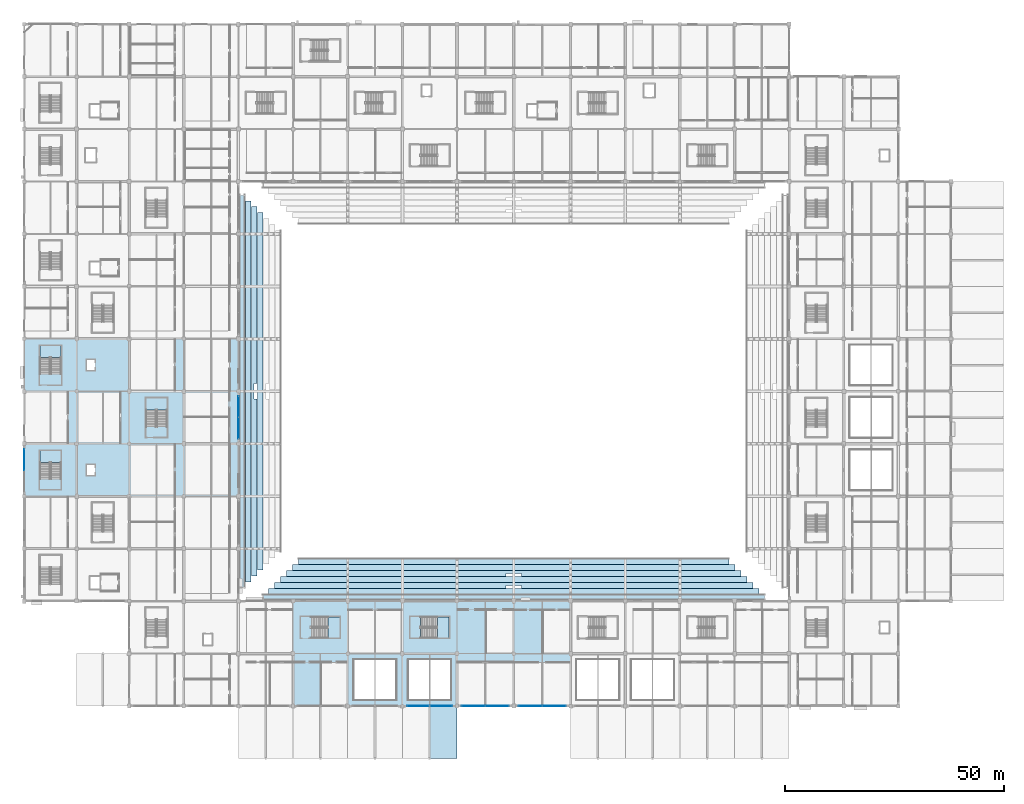
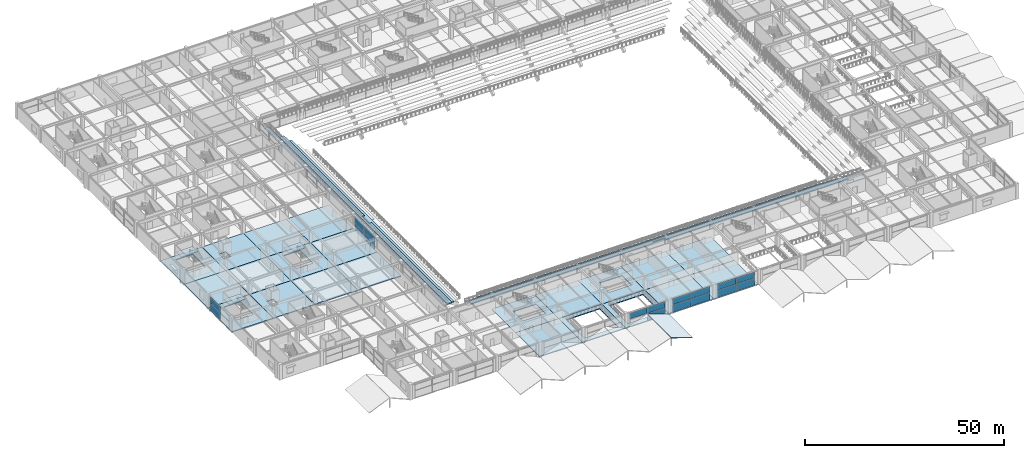
# One storey, part 66 of 134: 39 slabs, 17 plates, 10 elements without a shape of their own.
"""IFC4 building model written with IfcOpenShell, lengths in metres."""

import ifcopenshell
import ifcopenshell.guid

model = None  # the IFC model being written
_history = None  # IfcOwnerHistory: only IFC2X3 demands one
_inside = {}  # id of a spatial element -> (the spatial element, [elements in it])
_under = {}  # id of a project, library or spatial element -> (it, [spatial elements below it])
_declared = {}  # id of a project -> (the project, [libraries it declares])
_typed = {}  # id of a type object -> (the type object, [elements of that type])
_made_of = {}  # id of a material, layer set ... -> (it, [elements and type objects made of it])


def new_model(schema):
    """Start an empty IFC model of exactly this schema.

    Asked for "IFC4X3", IfcOpenShell would pick the latest addendum, in which some entities
    have other attributes; the version numbers below select the first issue.
    IFC2X3 requires an IfcOwnerHistory on every rooted entity: one is made here for all.
    """
    global model, _history
    if schema == "IFC4X3":
        model = ifcopenshell.file(schema_version=(4, 3, 0, 0))
    else:
        model = ifcopenshell.file(schema=schema)
    _inside.clear()
    _under.clear()
    _declared.clear()
    _typed.clear()
    _made_of.clear()
    _history = None
    if model.schema == "IFC2X3":
        org = make("IfcOrganization", Name="unknown")
        user = make(
            "IfcPersonAndOrganization",
            ThePerson=make("IfcPerson", FamilyName="unknown"),
            TheOrganization=org,
        )
        app = make(
            "IfcApplication",
            ApplicationDeveloper=org,
            Version="unknown",
            ApplicationFullName="unknown",
            ApplicationIdentifier="unknown",
        )
        _history = make(
            "IfcOwnerHistory",
            OwningUser=user,
            OwningApplication=app,
            ChangeAction="ADDED",
            CreationDate=0,
        )
    return model


def make(cls, **values):
    """One entity of the class cls with the attributes given. An attribute that is None is left unset."""
    return model.create_entity(
        cls, **{name: value for name, value in values.items() if value is not None}
    )


def rooted(cls, **values):
    """An entity with a GlobalId (a new one), such as an element, a storey or a relation."""
    return make(cls, GlobalId=ifcopenshell.guid.new(), OwnerHistory=_history, **values)


def si_unit(unit_type, name, prefix=None):
    """IfcSIUnit, for example si_unit("LENGTHUNIT", "METRE", prefix="MILLI")."""
    return make("IfcSIUnit", UnitType=unit_type, Prefix=prefix, Name=name)


def assignment(units):
    """IfcUnitAssignment: the units of a project."""
    return None if units is None else make("IfcUnitAssignment", Units=units)


def point(xyz):
    """IfcCartesianPoint."""
    return None if xyz is None else make("IfcCartesianPoint", Coordinates=xyz)


def direction(xyz):
    """IfcDirection."""
    return None if xyz is None else make("IfcDirection", DirectionRatios=xyz)


def frame(location, z_axis=None, x_axis=None):
    """IfcAxis2Placement3D, a coordinate frame: its origin and axes. An axis left out is left unset."""
    return make(
        "IfcAxis2Placement3D",
        Location=point(location),
        Axis=direction(z_axis),
        RefDirection=direction(x_axis),
    )


def frame_2d(location, x_axis=None):
    """IfcAxis2Placement2D, a coordinate frame in the plane: its origin and x axis."""
    return make(
        "IfcAxis2Placement2D", Location=point(location), RefDirection=direction(x_axis)
    )


def origin():
    """The frame at (0, 0, 0) with its axes left unset."""
    return frame((0.0, 0.0, 0.0))


def origin_2d():
    """The frame at (0, 0) in the plane with its x axis left unset."""
    return frame_2d((0.0, 0.0))


def place(relative_to, where):
    """IfcLocalPlacement: puts the frame where relative to a parent placement (None: the world)."""
    return make(
        "IfcLocalPlacement", PlacementRelTo=relative_to, RelativePlacement=where
    )


def context(
    kind, dimensions, precision=None, world=None, true_north=None, identifier=None
):
    """IfcGeometricRepresentationContext, for example the 3D "Model" context."""
    return make(
        "IfcGeometricRepresentationContext",
        ContextIdentifier=identifier,
        ContextType=kind,
        CoordinateSpaceDimension=dimensions,
        Precision=precision,
        WorldCoordinateSystem=world,
        TrueNorth=true_north,
    )


def subcontext(parent, identifier, kind, view, scale=None):
    """IfcGeometricRepresentationSubContext, for example "Body" below "Model"."""
    return make(
        "IfcGeometricRepresentationSubContext",
        ContextIdentifier=identifier,
        ContextType=kind,
        ParentContext=parent,
        TargetScale=scale,
        TargetView=view,
    )


def project(units=None, contexts=None):
    """IfcProject with its units and contexts."""
    return rooted(
        "IfcProject",
        Name="project",
        RepresentationContexts=contexts,
        UnitsInContext=assignment(units),
    )


def spatial(cls, under=None, at=None, **own):
    """A site, building, storey or space (cls), placed at a placement, below another one or the project."""
    s = rooted(cls, ObjectPlacement=at, **own)
    if under is not None:
        _under.setdefault(under.id(), (under, []))[1].append(s)
    return s


def polyline(points):
    """IfcPolyline through the points."""
    return make("IfcPolyline", Points=[point(p) for p in points])


def profile(cls, at=None, kind="AREA", **sizes):
    """A parametric profile (cls). Its sizes go by their IFC names, for example OverallWidth=200.0."""
    return make(cls, ProfileType=kind, Position=at, **sizes)


def rectangle(**sizes):
    """IfcRectangleProfileDef."""
    return profile("IfcRectangleProfileDef", **sizes)


def outline(outer, holes=None, kind="AREA"):
    """IfcArbitraryClosedProfileDef: a profile drawn as a closed curve; with holes, ...WithVoids."""
    if holes is None:
        return make("IfcArbitraryClosedProfileDef", ProfileType=kind, OuterCurve=outer)
    return make(
        "IfcArbitraryProfileDefWithVoids",
        ProfileType=kind,
        OuterCurve=outer,
        InnerCurves=holes,
    )


def extrude(swept, where, along, depth):
    """IfcExtrudedAreaSolid: the profile swept, set in the frame where, extruded along a direction by depth."""
    return make(
        "IfcExtrudedAreaSolid",
        SweptArea=swept,
        Position=where,
        ExtrudedDirection=direction(along),
        Depth=depth,
    )


def shape(context_of_items, identifier, shape_type, items):
    """IfcShapeRepresentation: the items that make up one representation, for example the "Body"."""
    return make(
        "IfcShapeRepresentation",
        ContextOfItems=context_of_items,
        RepresentationIdentifier=identifier,
        RepresentationType=shape_type,
        Items=items,
    )


def material(Name=None, Category=None):
    """IfcMaterial."""
    return make("IfcMaterial", Name=Name, Category=Category)


def layer(
    of_material, thickness, ventilated=None, Name=None, Category=None, Priority=None
):
    """IfcMaterialLayer: one layer of a wall or slab, of a material (None: an air gap)."""
    return make(
        "IfcMaterialLayer",
        Material=of_material,
        LayerThickness=thickness,
        IsVentilated=ventilated,
        Name=Name,
        Category=Category,
        Priority=Priority,
    )


def layer_set(layers, Name=None):
    """IfcMaterialLayerSet."""
    return make("IfcMaterialLayerSet", MaterialLayers=layers, LayerSetName=Name)


def made_of(thing, what):
    """Note that an element or type object is made of a material, layer set ...; save() writes the relation."""
    if what is not None:
        _made_of.setdefault(what.id(), (what, []))[1].append(thing)
    return thing


def type_object(cls, material=None, **own):
    """A type object (cls), such as IfcWallType, which elements share."""
    return made_of(rooted(cls, **own), material)


def element(
    cls,
    number,
    at=None,
    inside=None,
    cuts=None,
    type_object=None,
    material=None,
    context=None,
    identifier="Body",
    shape_type=None,
    held_by="IfcProductDefinitionShape",
    body=None,
    shapes=None,
    **own,
):
    """One element of the class cls, such as IfcWall. Its Tag is "e" and its number.

    at: its placement. inside: the storey or other place that contains it. cuts: it is an
    opening in that element (IfcRelVoidsElement). A single representation is given by context,
    identifier, shape_type and body (its items); several are given by shapes. held_by: the class
    of the entity that holds the representations. save() writes the other relations.
    """
    e = rooted(cls, Tag="e%d" % number, ObjectPlacement=at, **own)
    if body is not None:
        shapes = [shape(context, identifier, shape_type, body)]
    if shapes is not None:
        e.Representation = make(held_by, Representations=shapes)
    if inside is not None:
        _inside.setdefault(inside.id(), (inside, []))[1].append(e)
    if cuts is not None:
        rooted(
            "IfcRelVoidsElement", RelatingBuildingElement=cuts, RelatedOpeningElement=e
        )
    if type_object is not None:
        _typed.setdefault(type_object.id(), (type_object, []))[1].append(e)
    return made_of(e, material)


def aggregate(whole, parts):
    """IfcRelAggregates: a whole, such as a stair, and the parts it consists of."""
    return rooted("IfcRelAggregates", RelatingObject=whole, RelatedObjects=parts)


def save(model, path):
    """Write the relations noted so far, then the file.

    IfcRelAggregates (storeys below a building ...), IfcRelContainedInSpatialStructure (elements
    in a storey), IfcRelDefinesByType, IfcRelAssociatesMaterial and IfcRelDeclares: one each for
    every whole, place, type object, material and project.
    """
    for whole, parts in _under.values():
        aggregate(whole, parts)
    for where, things in _inside.values():
        rooted(
            "IfcRelContainedInSpatialStructure",
            RelatedElements=things,
            RelatingStructure=where,
        )
    for kind, things in _typed.values():
        rooted("IfcRelDefinesByType", RelatedObjects=things, RelatingType=kind)
    for what, things in _made_of.values():
        rooted("IfcRelAssociatesMaterial", RelatedObjects=things, RelatingMaterial=what)
    for by, libraries in _declared.values():
        rooted("IfcRelDeclares", RelatingContext=by, RelatedDefinitions=libraries)
    model.write(path)


model = new_model("IFC4")

# Units and contexts
model_context = context("Model", 3, precision=1e-05, world=origin(), true_north=direction((0.0, 1.0)))
body_context = subcontext(model_context, "Body", "Model", "MODEL_VIEW")
ifc_project = project(units=[si_unit("LENGTHUNIT", "METRE"), si_unit("AREAUNIT", "SQUARE_METRE"), si_unit("VOLUMEUNIT", "CUBIC_METRE"), si_unit("PLANEANGLEUNIT", "RADIAN"), si_unit("MASSUNIT", "GRAM", prefix="KILO")], contexts=[model_context])

# Site, building, storey
site_placement = place(None, origin())
site = spatial("IfcSite", under=ifc_project, at=site_placement, CompositionType="ELEMENT")
building_placement = place(site_placement, origin())
building = spatial("IfcBuilding", under=site, at=building_placement, Name="Kazenohara Klinker Stadium", CompositionType="ELEMENT")
storey_placement = place(building_placement, frame((0.0, 0.0, 5.39990234375)))
storey = spatial("IfcBuildingStorey", under=building, at=storey_placement, Name="L01", CompositionType="ELEMENT", Elevation=5.39990234375)

# Curtain wall, plates
ifc_material_1 = material(Name="Anodised aluminium and triple glazing", Category="aluminium")
ifc_layer_1 = layer(ifc_material_1, 0.169921875)
ifc_layer_set_1 = layer_set([ifc_layer_1], Name="Anodised aluminium and triple glazing")
curtain_wall_type_1 = type_object("IfcCurtainWallType", Name="CW-SYS-04", PredefinedType="USERDEFINED", material=ifc_layer_set_1)
curtain_wall_1_placement = place(storey_placement, origin())
curtain_wall_1 = element("IfcCurtainWall", 1, at=curtain_wall_1_placement, inside=storey, type_object=curtain_wall_type_1, Name="Unitised facade curtain wall CW04 L01 X7-1", ObjectType="UNITISED CURTAIN WALL", PredefinedType="USERDEFINED")
ifc_material_2 = material(Name="Low-e laminated triple glazing", Category="glass")
ifc_layer_2 = layer(ifc_material_2, 0.035888671875)
ifc_layer_set_2 = layer_set([ifc_layer_2], Name="Low-e laminated triple glazing")
plate_type_1 = type_object("IfcPlateType", Name="CW-PNL-36", PredefinedType="CURTAIN_PANEL", material=ifc_layer_set_2)
plate_1_placement = place(storey_placement, frame((90.168212890625, 12.0, 2.315185546875), z_axis=(0.0, 0.0, 1.0), x_axis=(1.0, 0.0, 0.0)))
plate_1 = element("IfcPlate", 2, at=plate_1_placement, type_object=plate_type_1, Name="CW04 panel 1.2", PredefinedType="CURTAIN_PANEL", context=body_context, shape_type="SweptSolid", body=[
    extrude(rectangle(XDim=5.098388671875, YDim=0.035888671875, at=origin_2d()), origin(), (0.0, 0.0, 1.0), 1.77001953125),
])
plate_2_placement = place(storey_placement, frame((95.331787109375, 12.0, 0.065185546875), z_axis=(0.0, 0.0, 1.0), x_axis=(1.0, 0.0, 0.0)))
plate_2 = element("IfcPlate", 3, at=plate_2_placement, type_object=plate_type_1, Name="CW04 panel 2.1", PredefinedType="CURTAIN_PANEL", context=body_context, shape_type="SweptSolid", body=[
    extrude(rectangle(XDim=5.098388671875, YDim=0.035888671875, at=origin_2d()), origin(), (0.0, 0.0, 1.0), 2.18505859375),
])
plate_3_placement = place(storey_placement, frame((95.331787109375, 12.0, 2.315185546875), z_axis=(0.0, 0.0, 1.0), x_axis=(1.0, 0.0, 0.0)))
plate_3 = element("IfcPlate", 4, at=plate_3_placement, type_object=plate_type_1, Name="CW04 panel 2.2", PredefinedType="CURTAIN_PANEL", context=body_context, shape_type="SweptSolid", body=[
    extrude(rectangle(XDim=5.098388671875, YDim=0.035888671875, at=origin_2d()), origin(), (0.0, 0.0, 1.0), 1.77001953125),
])
aggregate(curtain_wall_1, [plate_1, plate_2, plate_3])

ifc_layer_3 = layer(ifc_material_1, 0.159912109375)
ifc_layer_set_3 = layer_set([ifc_layer_3], Name="Anodised aluminium and triple glazing")
curtain_wall_type_2 = type_object("IfcCurtainWallType", Name="CW-SYS-01", PredefinedType="USERDEFINED", material=ifc_layer_set_3)
curtain_wall_2_placement = place(storey_placement, origin())
curtain_wall_2 = element("IfcCurtainWall", 5, at=curtain_wall_2_placement, inside=storey, type_object=curtain_wall_type_2, Name="Unitised facade curtain wall CW01 L01 X8-1", ObjectType="UNITISED CURTAIN WALL", PredefinedType="USERDEFINED")
plate_4_placement = place(storey_placement, frame((102.78076171875, 12.0, 0.065185546875), z_axis=(0.0, 0.0, 1.0), x_axis=(1.0, 0.0, 0.0)))
plate_4 = element("IfcPlate", 6, at=plate_4_placement, type_object=plate_type_1, Name="CW01 panel 1.1", PredefinedType="CURTAIN_PANEL", context=body_context, shape_type="SweptSolid", body=[
    extrude(rectangle(XDim=5.323486328125, YDim=0.035888671875, at=origin_2d()), origin(), (0.0, 0.0, 1.0), 2.21240234375),
])
plate_5_placement = place(storey_placement, frame((102.78076171875, 12.0, 2.342529296875), z_axis=(0.0, 0.0, 1.0), x_axis=(1.0, 0.0, 0.0)))
plate_5 = element("IfcPlate", 7, at=plate_5_placement, type_object=plate_type_1, Name="CW01 panel 1.2", PredefinedType="CURTAIN_PANEL", context=body_context, shape_type="SweptSolid", body=[
    extrude(rectangle(XDim=5.323486328125, YDim=0.035888671875, at=origin_2d()), origin(), (0.0, 0.0, 1.0), 1.79248046875),
])
plate_6_placement = place(storey_placement, frame((108.169189453125, 12.0, 0.065185546875), z_axis=(0.0, 0.0, 1.0), x_axis=(1.0, 0.0, 0.0)))
plate_6 = element("IfcPlate", 8, at=plate_6_placement, type_object=plate_type_1, Name="CW01 panel 2.1", PredefinedType="CURTAIN_PANEL", context=body_context, shape_type="SweptSolid", body=[
    extrude(rectangle(XDim=5.323486328125, YDim=0.035888671875, at=origin_2d()), origin(), (0.0, 0.0, 1.0), 2.21240234375),
])
plate_7_placement = place(storey_placement, frame((108.169189453125, 12.0, 2.342529296875), z_axis=(0.0, 0.0, 1.0), x_axis=(1.0, 0.0, 0.0)))
plate_7 = element("IfcPlate", 9, at=plate_7_placement, type_object=plate_type_1, Name="CW01 panel 2.2", PredefinedType="CURTAIN_PANEL", context=body_context, shape_type="SweptSolid", body=[
    extrude(rectangle(XDim=5.323486328125, YDim=0.035888671875, at=origin_2d()), origin(), (0.0, 0.0, 1.0), 1.79248046875),
])
aggregate(curtain_wall_2, [plate_4, plate_5, plate_6, plate_7])

ifc_layer_4 = layer(ifc_material_1, 0.199951171875)
ifc_layer_set_4 = layer_set([ifc_layer_4], Name="Anodised aluminium and triple glazing")
curtain_wall_type_3 = type_object("IfcCurtainWallType", Name="CW-SYS-03", PredefinedType="USERDEFINED", material=ifc_layer_set_4)
curtain_wall_3_placement = place(storey_placement, origin())
curtain_wall_3 = element("IfcCurtainWall", 10, at=curtain_wall_3_placement, inside=storey, type_object=curtain_wall_type_3, Name="Unitised facade curtain wall CW03 L01 X9-1", ObjectType="UNITISED CURTAIN WALL", PredefinedType="USERDEFINED")
plate_8_placement = place(storey_placement, frame((115.830810546875, 12.0, 0.065185546875), z_axis=(0.0, 0.0, 1.0), x_axis=(1.0, 0.0, 0.0)))
plate_8 = element("IfcPlate", 11, at=plate_8_placement, type_object=plate_type_1, Name="CW03 panel 1.1", PredefinedType="CURTAIN_PANEL", context=body_context, shape_type="SweptSolid", body=[
    extrude(rectangle(XDim=5.323486328125, YDim=0.035888671875, at=origin_2d()), origin(), (0.0, 0.0, 1.0), 2.18505859375),
])
plate_9_placement = place(storey_placement, frame((115.830810546875, 12.0, 2.315185546875), z_axis=(0.0, 0.0, 1.0), x_axis=(1.0, 0.0, 0.0)))
plate_9 = element("IfcPlate", 12, at=plate_9_placement, type_object=plate_type_1, Name="CW03 panel 1.2", PredefinedType="CURTAIN_PANEL", context=body_context, shape_type="SweptSolid", body=[
    extrude(rectangle(XDim=5.323486328125, YDim=0.035888671875, at=origin_2d()), origin(), (0.0, 0.0, 1.0), 1.77001953125),
])
plate_10_placement = place(storey_placement, frame((121.21923828125, 12.0, 0.065185546875), z_axis=(0.0, 0.0, 1.0), x_axis=(1.0, 0.0, 0.0)))
plate_10 = element("IfcPlate", 13, at=plate_10_placement, type_object=plate_type_1, Name="CW03 panel 2.1", PredefinedType="CURTAIN_PANEL", context=body_context, shape_type="SweptSolid", body=[
    extrude(rectangle(XDim=5.323486328125, YDim=0.035888671875, at=origin_2d()), origin(), (0.0, 0.0, 1.0), 2.18505859375),
])
plate_11_placement = place(storey_placement, frame((121.21923828125, 12.0, 2.315185546875), z_axis=(0.0, 0.0, 1.0), x_axis=(1.0, 0.0, 0.0)))
plate_11 = element("IfcPlate", 14, at=plate_11_placement, type_object=plate_type_1, Name="CW03 panel 2.2", PredefinedType="CURTAIN_PANEL", context=body_context, shape_type="SweptSolid", body=[
    extrude(rectangle(XDim=5.323486328125, YDim=0.035888671875, at=origin_2d()), origin(), (0.0, 0.0, 1.0), 1.77001953125),
])
aggregate(curtain_wall_3, [plate_8, plate_9, plate_10, plate_11])

ifc_layer_5 = layer(ifc_material_1, 0.179931640625)
ifc_layer_set_5 = layer_set([ifc_layer_5], Name="Anodised aluminium and triple glazing")
curtain_wall_type_4 = type_object("IfcCurtainWallType", Name="CW-SYS-02", PredefinedType="USERDEFINED", material=ifc_layer_set_5)
curtain_wall_4_placement = place(storey_placement, origin())
curtain_wall_4 = element("IfcCurtainWall", 15, at=curtain_wall_4_placement, inside=storey, type_object=curtain_wall_type_4, Name="Unitised facade curtain wall CW02 L01 Y0-5", ObjectType="UNITISED CURTAIN WALL", PredefinedType="USERDEFINED")
ifc_layer_6 = layer(ifc_material_2, 0.0439453125)
ifc_layer_set_6 = layer_set([ifc_layer_6], Name="Low-e laminated triple glazing")
plate_type_2 = type_object("IfcPlateType", Name="CW-PNL-44", PredefinedType="CURTAIN_PANEL", material=ifc_layer_set_6)
plate_12_placement = place(storey_placement, frame((0.0, 68.379150390625, 0.0751953125), z_axis=(0.0, 0.0, 1.0), x_axis=(0.0, 1.0, 0.0)))
plate_12 = element("IfcPlate", 16, at=plate_12_placement, type_object=plate_type_2, Name="CW02 panel 2.1", PredefinedType="CURTAIN_PANEL", context=body_context, shape_type="SweptSolid", body=[
    extrude(rectangle(XDim=4.783447265625, YDim=0.0439453125, at=origin_2d()), origin(), (0.0, 0.0, 1.0), 2.197509765625),
])
plate_13_placement = place(storey_placement, frame((0.0, 68.379150390625, 2.34765625), z_axis=(0.0, 0.0, 1.0), x_axis=(0.0, 1.0, 0.0)))
plate_13 = element("IfcPlate", 17, at=plate_13_placement, type_object=plate_type_2, Name="CW02 panel 2.2", PredefinedType="CURTAIN_PANEL", context=body_context, shape_type="SweptSolid", body=[
    extrude(rectangle(XDim=4.783447265625, YDim=0.0439453125, at=origin_2d()), origin(), (0.0, 0.0, 1.0), 1.777587890625),
])
aggregate(curtain_wall_4, [plate_12, plate_13])

ifc_layer_7 = layer(ifc_material_1, 0.18994140625)
ifc_layer_set_7 = layer_set([ifc_layer_7], Name="Anodised aluminium and triple glazing")
curtain_wall_type_5 = type_object("IfcCurtainWallType", Name="CW-SYS-05", PredefinedType="USERDEFINED", material=ifc_layer_set_7)
curtain_wall_5_placement = place(storey_placement, origin())
curtain_wall_5 = element("IfcCurtainWall", 18, at=curtain_wall_5_placement, inside=storey, type_object=curtain_wall_type_5, Name="Unitised facade curtain wall CW05 L01 Y4-6", ObjectType="UNITISED CURTAIN WALL", PredefinedType="USERDEFINED")
plate_14_placement = place(storey_placement, frame((49.0, 75.583251953125, 0.0751953125), z_axis=(0.0, 0.0, 1.0), x_axis=(0.0, 1.0, 0.0)))
plate_14 = element("IfcPlate", 19, at=plate_14_placement, type_object=plate_type_2, Name="CW05 panel 1.1", PredefinedType="CURTAIN_PANEL", context=body_context, shape_type="SweptSolid", body=[
    extrude(rectangle(XDim=4.80859375, YDim=0.0439453125, at=origin_2d()), origin(), (0.0, 0.0, 1.0), 2.169921875),
])
plate_15_placement = place(storey_placement, frame((49.0, 75.583251953125, 2.320068359375), z_axis=(0.0, 0.0, 1.0), x_axis=(0.0, 1.0, 0.0)))
plate_15 = element("IfcPlate", 20, at=plate_15_placement, type_object=plate_type_2, Name="CW05 panel 1.2", PredefinedType="CURTAIN_PANEL", context=body_context, shape_type="SweptSolid", body=[
    extrude(rectangle(XDim=4.80859375, YDim=0.0439453125, at=origin_2d()), origin(), (0.0, 0.0, 1.0), 1.7548828125),
])
plate_16_placement = place(storey_placement, frame((49.0, 80.466796875, 0.0751953125), z_axis=(0.0, 0.0, 1.0), x_axis=(0.0, 1.0, 0.0)))
plate_16 = element("IfcPlate", 21, at=plate_16_placement, type_object=plate_type_2, Name="CW05 panel 2.1", PredefinedType="CURTAIN_PANEL", context=body_context, shape_type="SweptSolid", body=[
    extrude(rectangle(XDim=4.80859375, YDim=0.0439453125, at=origin_2d()), origin(), (0.0, 0.0, 1.0), 2.169921875),
])
plate_17_placement = place(storey_placement, frame((49.0, 80.466796875, 2.320068359375), z_axis=(0.0, 0.0, 1.0), x_axis=(0.0, 1.0, 0.0)))
plate_17 = element("IfcPlate", 22, at=plate_17_placement, type_object=plate_type_2, Name="CW05 panel 2.2", PredefinedType="CURTAIN_PANEL", context=body_context, shape_type="SweptSolid", body=[
    extrude(rectangle(XDim=4.80859375, YDim=0.0439453125, at=origin_2d()), origin(), (0.0, 0.0, 1.0), 1.7548828125),
])
aggregate(curtain_wall_5, [plate_14, plate_15, plate_16, plate_17])

# Slabs
ifc_material_3 = material(Name="Concrete C40/50", Category="concrete")
ifc_layer_8 = layer(ifc_material_3, 0.260009765625)
ifc_layer_set_8 = layer_set([ifc_layer_8], Name="Concrete C40/50")
slab_type_1 = type_object("IfcSlabType", Name="SLB-FLR-260", PredefinedType="FLOOR", material=ifc_layer_set_8)
slab_1_placement = place(storey_placement, frame((0.0, 0.0, -0.260009765625)))
element("IfcSlab", 23, at=slab_1_placement, inside=storey, type_object=slab_type_1, Name="Floor slab FS02 L01 1/F", PredefinedType="FLOOR", context=body_context, shape_type="SweptSolid", body=[
    extrude(outline(polyline([(0.0, 60.0), (12.0, 60.0), (12.0, 72.0), (0.0, 72.0), (0.0, 60.0)]), holes=[polyline([(8.409912109375, 63.929931640625), (8.409912109375, 70.4599609375), (3.590087890625, 70.4599609375), (3.590087890625, 63.929931640625), (8.409912109375, 63.929931640625)])]), origin(), (0.0, 0.0, 1.0), 0.260009765625),
])
slab_2_placement = place(storey_placement, frame((0.0, 0.0, -0.260009765625)))
element("IfcSlab", 24, at=slab_2_placement, inside=storey, type_object=slab_type_1, Name="Floor slab FS02 L01 1/G", PredefinedType="FLOOR", context=body_context, shape_type="SweptSolid", body=[
    extrude(outline(polyline([(0.0, 72.0), (12.0, 72.0), (12.0, 84.0), (0.0, 84.0), (0.0, 72.0)])), origin(), (0.0, 0.0, 1.0), 0.260009765625),
])
slab_3_placement = place(storey_placement, frame((0.0, 0.0, -0.260009765625)))
element("IfcSlab", 25, at=slab_3_placement, inside=storey, type_object=slab_type_1, Name="Floor slab FS02 L01 1/H", PredefinedType="FLOOR", context=body_context, shape_type="SweptSolid", body=[
    extrude(outline(polyline([(0.0, 84.0), (12.0, 84.0), (12.0, 96.0), (0.0, 96.0), (0.0, 84.0)]), holes=[polyline([(8.429931640625, 87.949951171875), (8.429931640625, 94.4599609375), (3.570068359375, 94.4599609375), (3.570068359375, 87.949951171875), (8.429931640625, 87.949951171875)])]), origin(), (0.0, 0.0, 1.0), 0.260009765625),
])
slab_4_placement = place(storey_placement, frame((0.0, 0.0, -0.260009765625)))
element("IfcSlab", 26, at=slab_4_placement, inside=storey, type_object=slab_type_1, Name="Floor slab FS02 L01 2/F", PredefinedType="FLOOR", context=body_context, shape_type="SweptSolid", body=[
    extrude(outline(polyline([(12.0, 60.0), (24.0, 60.0), (24.0, 72.0), (12.0, 72.0), (12.0, 60.0)]), holes=[polyline([(14.25, 64.800048828125), (16.14990234375, 64.800048828125), (16.14990234375, 67.199951171875), (14.25, 67.199951171875), (14.25, 64.800048828125)])]), origin(), (0.0, 0.0, 1.0), 0.260009765625),
])
slab_5_placement = place(storey_placement, frame((0.0, 0.0, -0.260009765625)))
element("IfcSlab", 27, at=slab_5_placement, inside=storey, type_object=slab_type_1, Name="Floor slab FS02 L01 2/G", PredefinedType="FLOOR", context=body_context, shape_type="SweptSolid", body=[
    extrude(outline(polyline([(12.0, 72.0), (24.0, 72.0), (24.0, 84.0), (12.0, 84.0), (12.0, 72.0)])), origin(), (0.0, 0.0, 1.0), 0.260009765625),
])
slab_6_placement = place(storey_placement, frame((0.0, 0.0, -0.260009765625)))
element("IfcSlab", 28, at=slab_6_placement, inside=storey, type_object=slab_type_1, Name="Floor slab FS02 L01 2/H", PredefinedType="FLOOR", context=body_context, shape_type="SweptSolid", body=[
    extrude(outline(polyline([(12.0, 84.0), (24.0, 84.0), (24.0, 96.0), (12.0, 96.0), (12.0, 84.0)]), holes=[polyline([(14.25, 88.800048828125), (16.14990234375, 88.800048828125), (16.14990234375, 91.199951171875), (14.25, 91.199951171875), (14.25, 88.800048828125)])]), origin(), (0.0, 0.0, 1.0), 0.260009765625),
])
slab_7_placement = place(storey_placement, frame((0.0, 0.0, -0.260009765625)))
element("IfcSlab", 29, at=slab_7_placement, inside=storey, type_object=slab_type_1, Name="Floor slab FS02 L01 3/F", PredefinedType="FLOOR", context=body_context, shape_type="SweptSolid", body=[
    extrude(outline(polyline([(24.0, 60.0), (36.5, 60.0), (36.5, 72.0), (24.0, 72.0), (24.0, 60.0)])), origin(), (0.0, 0.0, 1.0), 0.260009765625),
])
slab_8_placement = place(storey_placement, frame((0.0, 0.0, -0.260009765625)))
element("IfcSlab", 30, at=slab_8_placement, inside=storey, type_object=slab_type_1, Name="Floor slab FS02 L01 3/G", PredefinedType="FLOOR", context=body_context, shape_type="SweptSolid", body=[
    extrude(outline(polyline([(24.0, 72.0), (36.5, 72.0), (36.5, 84.0), (24.0, 84.0), (24.0, 72.0)]), holes=[polyline([(32.64990234375, 75.919921875), (32.64990234375, 82.4599609375), (27.85009765625, 82.4599609375), (27.85009765625, 75.919921875), (32.64990234375, 75.919921875)])]), origin(), (0.0, 0.0, 1.0), 0.260009765625),
])
slab_9_placement = place(storey_placement, frame((0.0, 0.0, -0.260009765625)))
element("IfcSlab", 31, at=slab_9_placement, inside=storey, type_object=slab_type_1, Name="Floor slab FS02 L01 3/H", PredefinedType="FLOOR", context=body_context, shape_type="SweptSolid", body=[
    extrude(outline(polyline([(24.0, 84.0), (36.5, 84.0), (36.5, 96.0), (24.0, 96.0), (24.0, 84.0)])), origin(), (0.0, 0.0, 1.0), 0.260009765625),
])
slab_10_placement = place(storey_placement, frame((0.0, 0.0, -0.260009765625)))
element("IfcSlab", 32, at=slab_10_placement, inside=storey, type_object=slab_type_1, Name="Floor slab FS02 L01 4/F", PredefinedType="FLOOR", context=body_context, shape_type="SweptSolid", body=[
    extrude(outline(polyline([(36.5, 60.0), (49.0, 60.0), (49.0, 72.0), (36.5, 72.0), (36.5, 60.0)])), origin(), (0.0, 0.0, 1.0), 0.260009765625),
])
slab_11_placement = place(storey_placement, frame((0.0, 0.0, -0.260009765625)))
element("IfcSlab", 33, at=slab_11_placement, inside=storey, type_object=slab_type_1, Name="Floor slab FS02 L01 4/G", PredefinedType="FLOOR", context=body_context, shape_type="SweptSolid", body=[
    extrude(outline(polyline([(36.5, 72.0), (49.0, 72.0), (49.0, 84.0), (36.5, 84.0), (36.5, 72.0)])), origin(), (0.0, 0.0, 1.0), 0.260009765625),
])
slab_12_placement = place(storey_placement, frame((0.0, 0.0, -0.260009765625)))
element("IfcSlab", 34, at=slab_12_placement, inside=storey, type_object=slab_type_1, Name="Floor slab FS02 L01 4/H", PredefinedType="FLOOR", context=body_context, shape_type="SweptSolid", body=[
    extrude(outline(polyline([(36.5, 84.0), (49.0, 84.0), (49.0, 96.0), (36.5, 96.0), (36.5, 84.0)])), origin(), (0.0, 0.0, 1.0), 0.260009765625),
])
slab_13_placement = place(storey_placement, frame((0.0, 0.0, -0.260009765625)))
element("IfcSlab", 35, at=slab_13_placement, inside=storey, type_object=slab_type_1, Name="Floor slab FS02 L01 6/B", PredefinedType="FLOOR", context=body_context, shape_type="SweptSolid", body=[
    extrude(outline(polyline([(61.5, 12.0), (74.0, 12.0), (74.0, 24.0), (61.5, 24.0), (61.5, 12.0)])), origin(), (0.0, 0.0, 1.0), 0.260009765625),
])
slab_14_placement = place(storey_placement, frame((0.0, 0.0, -0.260009765625)))
element("IfcSlab", 36, at=slab_14_placement, inside=storey, type_object=slab_type_1, Name="Floor slab FS02 L01 6/C", PredefinedType="FLOOR", context=body_context, shape_type="SweptSolid", body=[
    extrude(outline(polyline([(61.5, 24.0), (74.0, 24.0), (74.0, 36.0), (61.5, 36.0), (61.5, 24.0)]), holes=[polyline([(65.669921875, 27.60009765625), (72.2099609375, 27.60009765625), (72.2099609375, 32.39990234375), (65.669921875, 32.39990234375), (65.669921875, 27.60009765625)])]), origin(), (0.0, 0.0, 1.0), 0.260009765625),
])
slab_15_placement = place(storey_placement, frame((0.0, 0.0, -0.260009765625)))
element("IfcSlab", 37, at=slab_15_placement, inside=storey, type_object=slab_type_1, Name="Floor slab FS02 L01 7/B", PredefinedType="FLOOR", context=body_context, shape_type="SweptSolid", body=[
    extrude(outline(polyline([(74.0, 12.0), (86.5, 12.0), (86.5, 24.0), (74.0, 24.0), (74.0, 12.0)]), holes=[polyline([(75.39990234375, 13.39990234375), (85.10009765625, 13.39990234375), (85.10009765625, 22.60009765625), (75.39990234375, 22.60009765625), (75.39990234375, 13.39990234375)])]), origin(), (0.0, 0.0, 1.0), 0.260009765625),
])
slab_16_placement = place(storey_placement, frame((0.0, 0.0, -0.260009765625)))
element("IfcSlab", 38, at=slab_16_placement, inside=storey, type_object=slab_type_1, Name="Floor slab FS02 L01 7/C", PredefinedType="FLOOR", context=body_context, shape_type="SweptSolid", body=[
    extrude(outline(polyline([(74.0, 24.0), (86.5, 24.0), (86.5, 36.0), (74.0, 36.0), (74.0, 24.0)])), origin(), (0.0, 0.0, 1.0), 0.260009765625),
])
slab_17_placement = place(storey_placement, frame((0.0, 0.0, -0.260009765625)))
element("IfcSlab", 39, at=slab_17_placement, inside=storey, type_object=slab_type_1, Name="Floor slab FS02 L01 8/B", PredefinedType="FLOOR", context=body_context, shape_type="SweptSolid", body=[
    extrude(outline(polyline([(86.5, 12.0), (99.0, 12.0), (99.0, 24.0), (86.5, 24.0), (86.5, 12.0)]), holes=[polyline([(87.89990234375, 13.39990234375), (97.60009765625, 13.39990234375), (97.60009765625, 22.60009765625), (87.89990234375, 22.60009765625), (87.89990234375, 13.39990234375)])]), origin(), (0.0, 0.0, 1.0), 0.260009765625),
])
slab_18_placement = place(storey_placement, frame((0.0, 0.0, -0.260009765625)))
element("IfcSlab", 40, at=slab_18_placement, inside=storey, type_object=slab_type_1, Name="Floor slab FS02 L01 8/C", PredefinedType="FLOOR", context=body_context, shape_type="SweptSolid", body=[
    extrude(outline(polyline([(86.5, 24.0), (99.0, 24.0), (99.0, 36.0), (86.5, 36.0), (86.5, 24.0)]), holes=[polyline([(90.679931640625, 27.590087890625), (97.2099609375, 27.590087890625), (97.2099609375, 32.409912109375), (90.679931640625, 32.409912109375), (90.679931640625, 27.590087890625)])]), origin(), (0.0, 0.0, 1.0), 0.260009765625),
])
slab_19_placement = place(storey_placement, frame((0.0, 0.0, -0.260009765625)))
element("IfcSlab", 41, at=slab_19_placement, inside=storey, type_object=slab_type_1, Name="Floor slab FS02 L01 9/B", PredefinedType="FLOOR", context=body_context, shape_type="SweptSolid", body=[
    extrude(outline(polyline([(99.0, 12.0), (112.0, 12.0), (112.0, 24.0), (99.0, 24.0), (99.0, 12.0)])), origin(), (0.0, 0.0, 1.0), 0.260009765625),
])
slab_20_placement = place(storey_placement, frame((0.0, 0.0, -0.260009765625)))
element("IfcSlab", 42, at=slab_20_placement, inside=storey, type_object=slab_type_1, Name="Floor slab FS02 L01 9/C", PredefinedType="FLOOR", context=body_context, shape_type="SweptSolid", body=[
    extrude(outline(polyline([(99.0, 24.0), (112.0, 24.0), (112.0, 36.0), (99.0, 36.0), (99.0, 24.0)])), origin(), (0.0, 0.0, 1.0), 0.260009765625),
])
slab_21_placement = place(storey_placement, frame((0.0, 0.0, -0.260009765625)))
element("IfcSlab", 43, at=slab_21_placement, inside=storey, type_object=slab_type_1, Name="Floor slab FS02 L01 10/B", PredefinedType="FLOOR", context=body_context, shape_type="SweptSolid", body=[
    extrude(outline(polyline([(112.0, 12.0), (125.0, 12.0), (125.0, 24.0), (112.0, 24.0), (112.0, 12.0)])), origin(), (0.0, 0.0, 1.0), 0.260009765625),
])
slab_22_placement = place(storey_placement, frame((0.0, 0.0, -0.260009765625)))
element("IfcSlab", 44, at=slab_22_placement, inside=storey, type_object=slab_type_1, Name="Floor slab FS02 L01 10/C", PredefinedType="FLOOR", context=body_context, shape_type="SweptSolid", body=[
    extrude(outline(polyline([(112.0, 24.0), (125.0, 24.0), (125.0, 36.0), (112.0, 36.0), (112.0, 24.0)])), origin(), (0.0, 0.0, 1.0), 0.260009765625),
])

# Stair, slab
stair_type_1 = type_object("IfcStairType", Name="STR-DL-2310", PredefinedType="HALF_TURN_STAIR", material=ifc_material_3)
stair_1_placement = place(storey_placement, origin())
stair_1 = element("IfcStair", 45, at=stair_1_placement, inside=storey, type_object=stair_type_1, Name="L01 Enclosed escape stair ST02", PredefinedType="HALF_TURN_STAIR")
ifc_layer_9 = layer(ifc_material_3, 0.199951171875)
ifc_layer_set_9 = layer_set([ifc_layer_9], Name="Concrete C40/50")
slab_type_2 = type_object("IfcSlabType", Name="SLB-LND-200", PredefinedType="LANDING", material=ifc_layer_set_9)
slab_23_placement = place(storey_placement, frame((0.0, 0.0, 2.2001953125)))
slab_23 = element("IfcSlab", 46, at=slab_23_placement, type_object=slab_type_2, Name="ST02 landing 1", PredefinedType="LANDING", context=body_context, shape_type="SweptSolid", body=[
    extrude(outline(polyline([(8.409912109375, 67.77001953125), (8.409912109375, 70.4599609375), (3.590087890625, 70.4599609375), (3.590087890625, 67.77001953125), (8.409912109375, 67.77001953125)])), origin(), (0.0, 0.0, 1.0), 0.199951171875),
])
aggregate(stair_1, [slab_23])

stair_type_2 = type_object("IfcStairType", Name="STR-DL-2330", PredefinedType="HALF_TURN_STAIR", material=ifc_material_3)
stair_2_placement = place(storey_placement, origin())
stair_2 = element("IfcStair", 47, at=stair_2_placement, inside=storey, type_object=stair_type_2, Name="L01 Enclosed escape stair ST03", PredefinedType="HALF_TURN_STAIR")
slab_24_placement = place(storey_placement, frame((0.0, 0.0, 2.2001953125)))
slab_24 = element("IfcSlab", 48, at=slab_24_placement, type_object=slab_type_2, Name="ST03 landing 1", PredefinedType="LANDING", context=body_context, shape_type="SweptSolid", body=[
    extrude(outline(polyline([(8.429931640625, 91.7900390625), (8.429931640625, 94.4599609375), (3.570068359375, 94.4599609375), (3.570068359375, 91.7900390625), (8.429931640625, 91.7900390625)])), origin(), (0.0, 0.0, 1.0), 0.199951171875),
])
aggregate(stair_2, [slab_24])

stair_type_3 = type_object("IfcStairType", Name="STR-DL-2300", PredefinedType="HALF_TURN_STAIR", material=ifc_material_3)
stair_3_placement = place(storey_placement, origin())
stair_3 = element("IfcStair", 49, at=stair_3_placement, inside=storey, type_object=stair_type_3, Name="L01 Enclosed escape stair ST17", PredefinedType="HALF_TURN_STAIR")
slab_25_placement = place(storey_placement, frame((0.0, 0.0, 2.2001953125)))
slab_25 = element("IfcSlab", 50, at=slab_25_placement, type_object=slab_type_2, Name="ST17 landing 1", PredefinedType="LANDING", context=body_context, shape_type="SweptSolid", body=[
    extrude(outline(polyline([(32.64990234375, 79.760009765625), (32.64990234375, 82.4599609375), (27.85009765625, 82.4599609375), (27.85009765625, 79.760009765625), (32.64990234375, 79.760009765625)])), origin(), (0.0, 0.0, 1.0), 0.199951171875),
])
aggregate(stair_3, [slab_25])

stair_4_placement = place(storey_placement, origin())
stair_4 = element("IfcStair", 51, at=stair_4_placement, inside=storey, type_object=stair_type_3, Name="L01 Enclosed escape stair ST25", PredefinedType="HALF_TURN_STAIR")
slab_26_placement = place(storey_placement, frame((0.0, 0.0, 2.2001953125)))
slab_26 = element("IfcSlab", 52, at=slab_26_placement, type_object=slab_type_2, Name="ST25 landing 1", PredefinedType="LANDING", context=body_context, shape_type="SweptSolid", body=[
    extrude(outline(polyline([(69.510009765625, 27.60009765625), (72.2099609375, 27.60009765625), (72.2099609375, 32.39990234375), (69.510009765625, 32.39990234375), (69.510009765625, 27.60009765625)])), origin(), (0.0, 0.0, 1.0), 0.199951171875),
])
aggregate(stair_4, [slab_26])

stair_5_placement = place(storey_placement, origin())
stair_5 = element("IfcStair", 53, at=stair_5_placement, inside=storey, type_object=stair_type_1, Name="L01 Enclosed escape stair ST26", PredefinedType="HALF_TURN_STAIR")
slab_27_placement = place(storey_placement, frame((0.0, 0.0, 2.2001953125)))
slab_27 = element("IfcSlab", 54, at=slab_27_placement, type_object=slab_type_2, Name="ST26 landing 1", PredefinedType="LANDING", context=body_context, shape_type="SweptSolid", body=[
    extrude(outline(polyline([(94.52001953125, 27.590087890625), (97.2099609375, 27.590087890625), (97.2099609375, 32.409912109375), (94.52001953125, 32.409912109375), (94.52001953125, 27.590087890625)])), origin(), (0.0, 0.0, 1.0), 0.199951171875),
])
aggregate(stair_5, [slab_27])

# Slabs
ifc_material_4 = material(Name="Steel S355", Category="steel")
ifc_layer_10 = layer(ifc_material_4, 0.169921875)
ifc_layer_set_10 = layer_set([ifc_layer_10], Name="Steel S355")
slab_type_3 = type_object("IfcSlabType", Name="SLB-ROOF-170", PredefinedType="ROOF", material=ifc_layer_set_10)
slab_28_placement = place(storey_placement, frame((92.800048828125, 0.0, 2.070068359375), z_axis=(0.327622925614, 0.0, 0.944808561886), x_axis=(0.944808561886, 0.0, -0.327622925614)))
element("IfcSlab", 55, at=slab_28_placement, inside=storey, type_object=slab_type_3, Name="Sloped snow-shedding wing roof RS02 L01 8/A B", PredefinedType="ROOF", context=body_context, shape_type="SweptSolid", body=[
    extrude(outline(polyline([(0.0, 0.0), (6.5621242461032345, 0.0), (6.5621242461032345, 12.0), (0.0, 12.0), (0.0, 0.0)])), origin(), (0.0, 0.0, -1.0), 0.169921875),
])
ifc_material_5 = material(Name="Precast concrete C50/60", Category="concrete")
ifc_layer_11 = layer(ifc_material_5, 0.2099609375)
ifc_layer_set_11 = layer_set([ifc_layer_11], Name="Precast concrete C50/60")
slab_type_4 = type_object("IfcSlabType", Name="SLB-TIER-210", PredefinedType="USERDEFINED", material=ifc_layer_set_11)
slab_29_placement = place(storey_placement, frame((0.0, 0.0, 3.190185546875)))
element("IfcSlab", 56, at=slab_29_placement, inside=storey, type_object=slab_type_4, Name="Stand lower tier W-01", ObjectType="SEATING TIER", PredefinedType="USERDEFINED", context=body_context, shape_type="SweptSolid", body=[
    extrude(outline(polyline([(49.199951171875, 39.031494140625), (50.531494140625, 39.031494140625), (50.531494140625, 128.968505859375), (49.199951171875, 128.968505859375), (49.199951171875, 39.031494140625)])), origin(), (0.0, 0.0, 1.0), 0.2099609375),
])
slab_30_placement = place(storey_placement, frame((0.0, 0.0, 2.190185546875)))
element("IfcSlab", 57, at=slab_30_placement, inside=storey, type_object=slab_type_4, Name="Stand lower tier W-02", ObjectType="SEATING TIER", PredefinedType="USERDEFINED", context=body_context, shape_type="SweptSolid", body=[
    extrude(outline(polyline([(50.5712890625, 40.40283203125), (51.90283203125, 40.40283203125), (51.90283203125, 127.59716796875), (50.5712890625, 127.59716796875), (50.5712890625, 40.40283203125)])), origin(), (0.0, 0.0, 1.0), 0.2099609375),
])
slab_31_placement = place(storey_placement, frame((0.0, 0.0, 1.190185546875)))
element("IfcSlab", 58, at=slab_31_placement, inside=storey, type_object=slab_type_4, Name="Stand lower tier W-03", ObjectType="SEATING TIER", PredefinedType="USERDEFINED", context=body_context, shape_type="SweptSolid", body=[
    extrude(outline(polyline([(51.94287109375, 41.774169921875), (53.274169921875, 41.774169921875), (53.274169921875, 82.199951171875), (52.5419921875, 82.199951171875), (52.5419921875, 85.800048828125), (53.274169921875, 85.800048828125), (53.274169921875, 126.225830078125), (51.94287109375, 126.225830078125), (51.94287109375, 41.774169921875)])), origin(), (0.0, 0.0, 1.0), 0.2099609375),
])
slab_32_placement = place(storey_placement, frame((0.0, 0.0, 0.190185546875)))
element("IfcSlab", 59, at=slab_32_placement, inside=storey, type_object=slab_type_4, Name="Stand lower tier W-04", ObjectType="SEATING TIER", PredefinedType="USERDEFINED", context=body_context, shape_type="SweptSolid", body=[
    extrude(outline(polyline([(53.314208984375, 43.145751953125), (54.645751953125, 43.145751953125), (54.645751953125, 124.854248046875), (53.314208984375, 124.854248046875), (53.314208984375, 43.145751953125)])), origin(), (0.0, 0.0, 1.0), 0.2099609375),
])
slab_33_placement = place(storey_placement, frame((0.0, 0.0, 3.190185546875)))
element("IfcSlab", 60, at=slab_33_placement, inside=storey, type_object=slab_type_4, Name="Stand lower tier S-01", ObjectType="SEATING TIER", PredefinedType="USERDEFINED", context=body_context, shape_type="SweptSolid", body=[
    extrude(outline(polyline([(54.531494140625, 36.199951171875), (169.468505859375, 36.199951171875), (169.468505859375, 37.531494140625), (54.531494140625, 37.531494140625), (54.531494140625, 36.199951171875)])), origin(), (0.0, 0.0, 1.0), 0.2099609375),
])
slab_34_placement = place(storey_placement, frame((0.0, 0.0, 2.190185546875)))
element("IfcSlab", 61, at=slab_34_placement, inside=storey, type_object=slab_type_4, Name="Stand lower tier S-02", ObjectType="SEATING TIER", PredefinedType="USERDEFINED", context=body_context, shape_type="SweptSolid", body=[
    extrude(outline(polyline([(55.90283203125, 37.5712890625), (168.09716796875, 37.5712890625), (168.09716796875, 38.90283203125), (55.90283203125, 38.90283203125), (55.90283203125, 37.5712890625)])), origin(), (0.0, 0.0, 1.0), 0.2099609375),
])
slab_35_placement = place(storey_placement, frame((0.0, 0.0, 1.190185546875)))
element("IfcSlab", 62, at=slab_35_placement, inside=storey, type_object=slab_type_4, Name="Stand lower tier S-03", ObjectType="SEATING TIER", PredefinedType="USERDEFINED", context=body_context, shape_type="SweptSolid", body=[
    extrude(outline(polyline([(57.274169921875, 38.94287109375), (110.199951171875, 38.94287109375), (110.199951171875, 39.5419921875), (113.800048828125, 39.5419921875), (113.800048828125, 38.94287109375), (166.725830078125, 38.94287109375), (166.725830078125, 40.274169921875), (57.274169921875, 40.274169921875), (57.274169921875, 38.94287109375)])), origin(), (0.0, 0.0, 1.0), 0.2099609375),
])
slab_36_placement = place(storey_placement, frame((0.0, 0.0, 0.190185546875)))
element("IfcSlab", 63, at=slab_36_placement, inside=storey, type_object=slab_type_4, Name="Stand lower tier S-04", ObjectType="SEATING TIER", PredefinedType="USERDEFINED", context=body_context, shape_type="SweptSolid", body=[
    extrude(outline(polyline([(58.645751953125, 40.314208984375), (165.354248046875, 40.314208984375), (165.354248046875, 41.645751953125), (58.645751953125, 41.645751953125), (58.645751953125, 40.314208984375)])), origin(), (0.0, 0.0, 1.0), 0.2099609375),
])
slab_37_placement = place(storey_placement, frame((0.0, 0.0, -0.809814453125)))
element("IfcSlab", 64, at=slab_37_placement, inside=storey, type_object=slab_type_4, Name="Stand lower tier S-05", ObjectType="SEATING TIER", PredefinedType="USERDEFINED", context=body_context, shape_type="SweptSolid", body=[
    extrude(outline(polyline([(60.01708984375, 41.685791015625), (110.199951171875, 41.685791015625), (110.199951171875, 42.284912109375), (113.800048828125, 42.284912109375), (113.800048828125, 41.685791015625), (163.98291015625, 41.685791015625), (163.98291015625, 43.01708984375), (60.01708984375, 43.01708984375), (60.01708984375, 41.685791015625)])), origin(), (0.0, 0.0, 1.0), 0.2099609375),
])
slab_38_placement = place(storey_placement, frame((0.0, 0.0, -1.809814453125)))
element("IfcSlab", 65, at=slab_38_placement, inside=storey, type_object=slab_type_4, Name="Stand lower tier S-06", ObjectType="SEATING TIER", PredefinedType="USERDEFINED", context=body_context, shape_type="SweptSolid", body=[
    extrude(outline(polyline([(61.388671875, 43.05712890625), (162.611328125, 43.05712890625), (162.611328125, 44.388671875), (61.388671875, 44.388671875), (61.388671875, 43.05712890625)])), origin(), (0.0, 0.0, 1.0), 0.2099609375),
])
slab_39_placement = place(storey_placement, frame((0.0, 0.0, -2.809814453125)))
element("IfcSlab", 66, at=slab_39_placement, inside=storey, type_object=slab_type_4, Name="Stand lower tier S-07", ObjectType="SEATING TIER", PredefinedType="USERDEFINED", context=body_context, shape_type="SweptSolid", body=[
    extrude(outline(polyline([(62.760009765625, 44.4287109375), (161.239990234375, 44.4287109375), (161.239990234375, 45.760009765625), (62.760009765625, 45.760009765625), (62.760009765625, 44.4287109375)])), origin(), (0.0, 0.0, 1.0), 0.2099609375),
])

save(model, "model.ifc")
